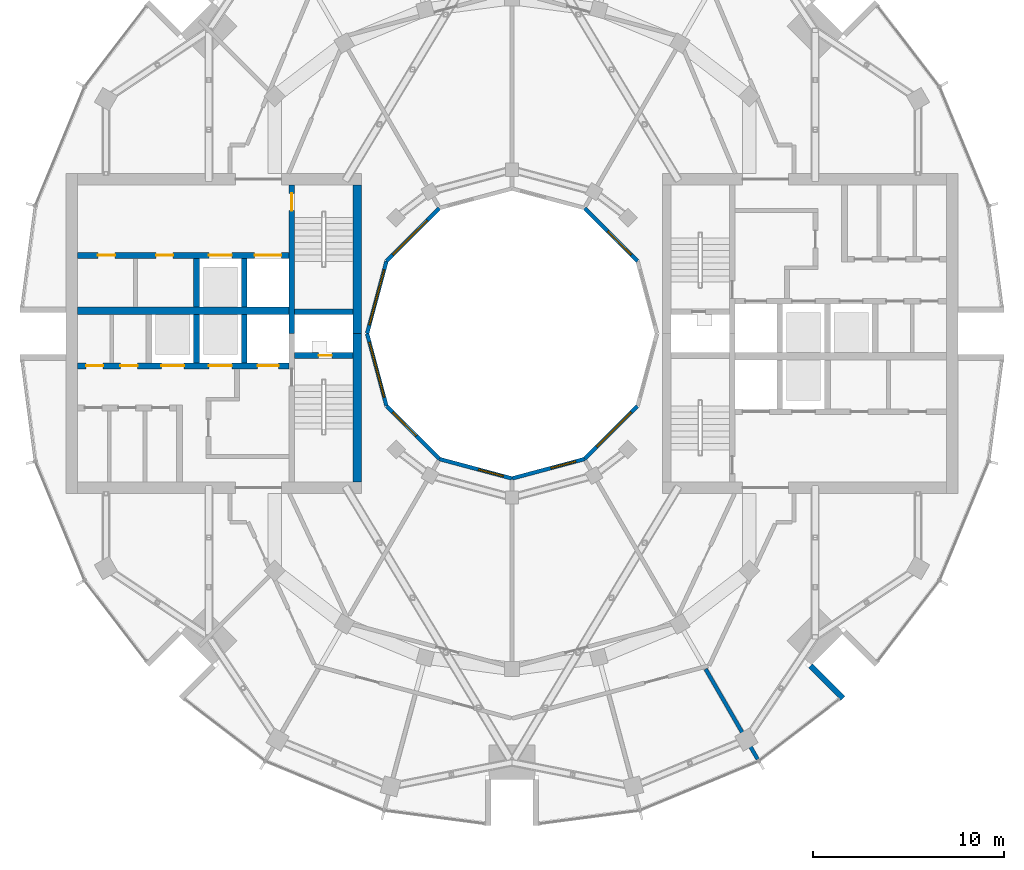
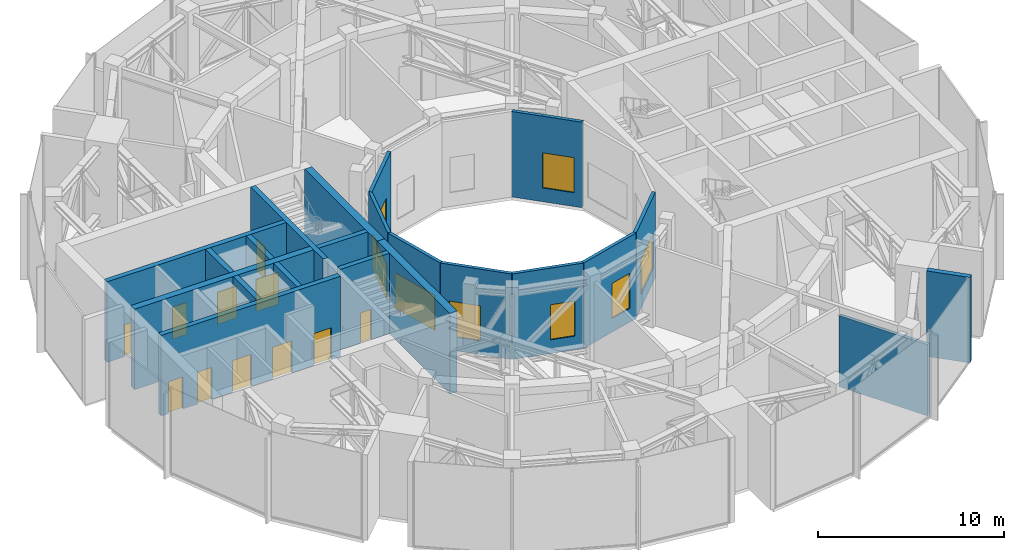
# One storey, part 13 of 18: 22 walls, 11 doors, 8 windows, 19 openings.
"""IFC4 building model written with IfcOpenShell, lengths in metres."""

from ifc_helpers import new_model, si_unit, direction, frame, frame_2d, origin, place, context, subcontext, project, spatial, rectangle, extrude, material, layer, layer_set, type_object, element, fill, save


model = new_model("IFC4")

# Units and contexts
model_context = context("Model", 3, precision=1e-05, world=origin(), true_north=direction((0.0, 1.0)))
body_context = subcontext(model_context, "Body", "Model", "MODEL_VIEW")
ifc_project = project(units=[si_unit("LENGTHUNIT", "METRE"), si_unit("AREAUNIT", "SQUARE_METRE"), si_unit("VOLUMEUNIT", "CUBIC_METRE"), si_unit("PLANEANGLEUNIT", "RADIAN"), si_unit("MASSUNIT", "GRAM", prefix="KILO")], contexts=[model_context])

# Site, building, storey
site_placement = place(None, origin())
site = spatial("IfcSite", under=ifc_project, at=site_placement, CompositionType="ELEMENT")
building_placement = place(site_placement, origin())
building = spatial("IfcBuilding", under=site, at=building_placement, Name="Torre Brocal", CompositionType="ELEMENT")
storey_placement = place(building_placement, frame((0.0, 0.0, 206.89990234375)))
storey = spatial("IfcBuildingStorey", under=building, at=storey_placement, Name="L48", CompositionType="ELEMENT", Elevation=206.89990234375)

# Wall, opening, door
ifc_material_1 = material(Name="Concrete C60", Category="concrete")
ifc_layer_1 = layer(ifc_material_1, 0.300048828125)
ifc_layer_set_1 = layer_set([ifc_layer_1], Name="Concrete C60")
wall_type_1 = type_object("IfcWallType", Name="CORE WALL 300 C60", PredefinedType="SHEAR", material=ifc_layer_set_1)
wall_1_placement = place(storey_placement, frame((68.449951171875, 82.800048828125, 0.0), z_axis=(0.0, 0.0, 1.0), x_axis=(0.0, -1.0, 0.0)))
wall_1 = element("IfcWall", 1, at=wall_1_placement, inside=storey, type_object=wall_type_1, Name="Wall CW300-60", PredefinedType="SHEAR", context=body_context, shape_type="SweptSolid", body=[
    extrude(rectangle(XDim=7.800048828125, YDim=0.300048828125, at=frame_2d((3.89990234375, 0.0))), origin(), (0.0, 0.0, 1.0), 5.280029296875),
])
opening_1_placement = place(wall_1_placement, frame((0.449951171875, 0.0, 0.0)))
opening_1 = element("IfcOpeningElement", 2, at=opening_1_placement, cuts=wall_1, Name="Opening W-D03", PredefinedType="OPENING", context=body_context, shape_type="SweptSolid", body=[
    extrude(rectangle(XDim=0.89990234375, YDim=2.10009765625, at=frame_2d((0.449951171875, 1.050048828125))), frame((0.0, 0.159912109375, 0.0), z_axis=(0.0, -1.0, 0.0), x_axis=(1.0, 0.0, 0.0)), (0.0, 0.0, 1.0), 0.320068359375),
])
ifc_material_2 = material(Name="Steel A653", Category="steel")
door_type_1 = type_object("IfcDoorType", Name="STAIR DOOR FD120 900X2100", OperationType="SINGLE_SWING_RIGHT", PredefinedType="DOOR", material=ifc_material_2)
door_1_placement = place(opening_1_placement, origin())
door_1 = element("IfcDoor", 3, at=door_1_placement, inside=storey, type_object=door_type_1, Name="Door W-D03", OperationType="SINGLE_SWING_LEFT", OverallHeight=2.10009765625, OverallWidth=0.89990234375, PredefinedType="DOOR", context=body_context, shape_type="SweptSolid", body=[
    extrude(rectangle(XDim=0.89990234375, YDim=2.10009765625, at=frame_2d((0.449951171875, 1.050048828125))), frame((0.0, 0.02490234375, 0.0), z_axis=(0.0, -1.0, 0.0), x_axis=(1.0, 0.0, 0.0)), (0.0, 0.0, 1.0), 0.050048828125),
])
fill(opening_1, door_1)

wall_2_placement = place(storey_placement, frame((71.64990234375, 73.85009765625, 0.0), z_axis=(0.0, 0.0, 1.0), x_axis=(-1.0, 0.0, 0.0)))
wall_2 = element("IfcWall", 4, at=wall_2_placement, inside=storey, type_object=wall_type_1, Name="Wall CW300-60", PredefinedType="SHEAR", context=body_context, shape_type="SweptSolid", body=[
    extrude(rectangle(XDim=3.0498046875, YDim=0.300048828125, at=frame_2d((1.52490234375, 0.0))), origin(), (0.0, 0.0, 1.0), 5.280029296875),
])
opening_2_placement = place(wall_2_placement, frame((1.10009765625, 0.0, 0.0)))
opening_2 = element("IfcOpeningElement", 5, at=opening_2_placement, cuts=wall_2, Name="Opening W-D01", PredefinedType="OPENING", context=body_context, shape_type="SweptSolid", body=[
    extrude(rectangle(XDim=0.699951171875, YDim=2.0, at=frame_2d((0.35009765625, 1.0))), frame((0.0, 0.159912109375, 0.0), z_axis=(0.0, -1.0, 0.0), x_axis=(1.0, 0.0, 0.0)), (0.0, 0.0, 1.0), 0.320068359375),
])
ifc_material_3 = material(Name="Steel A653", Category="steel")
door_type_2 = type_object("IfcDoorType", Name="RISER DOOR FD120 700X2000", OperationType="SINGLE_SWING_LEFT", PredefinedType="DOOR", material=ifc_material_3)
door_2_placement = place(opening_2_placement, frame((0.699951171875, 0.0, 0.0), z_axis=(0.0, 0.0, 1.0), x_axis=(-1.0, 0.0, 0.0)))
door_2 = element("IfcDoor", 6, at=door_2_placement, inside=storey, type_object=door_type_2, Name="Door W-D01", OperationType="SINGLE_SWING_RIGHT", OverallHeight=2.0, OverallWidth=0.699951171875, PredefinedType="DOOR", context=body_context, shape_type="SweptSolid", body=[
    extrude(rectangle(XDim=0.699951171875, YDim=2.0, at=frame_2d((0.35009765625, 1.0))), frame((0.0, 0.02490234375, 0.0), z_axis=(0.0, -1.0, 0.0), x_axis=(1.0, 0.0, 0.0)), (0.0, 0.0, 1.0), 0.050048828125),
])
fill(opening_2, door_2)

# Wall
wall_3_placement = place(storey_placement, frame((71.64990234375, 76.14990234375, 0.0), z_axis=(0.0, 0.0, 1.0), x_axis=(-1.0, 0.0, 0.0)))
element("IfcWall", 7, at=wall_3_placement, inside=storey, type_object=wall_type_1, Name="Wall CW300-60", PredefinedType="SHEAR", context=body_context, shape_type="SweptSolid", body=[
    extrude(rectangle(XDim=3.0498046875, YDim=0.300048828125, at=frame_2d((1.52490234375, 0.0))), origin(), (0.0, 0.0, 1.0), 5.280029296875),
])

# Wall, openings, doors
wall_4_placement = place(storey_placement, frame((68.300048828125, 73.300048828125, 0.0), z_axis=(0.0, 0.0, 1.0), x_axis=(-1.0, 0.0, 0.0)))
wall_4 = element("IfcWall", 8, at=wall_4_placement, inside=storey, type_object=wall_type_1, Name="Wall CW300-60", PredefinedType="SHEAR", context=body_context, shape_type="SweptSolid", body=[
    extrude(rectangle(XDim=11.10009765625, YDim=0.300048828125, at=frame_2d((5.550048828125, 0.0))), origin(), (0.0, 0.0, 1.0), 5.280029296875),
])
opening_3_placement = place(wall_4_placement, frame((0.550048828125, 0.0, 0.0)))
opening_3 = element("IfcOpeningElement", 9, at=opening_3_placement, cuts=wall_4, Name="Opening LD", PredefinedType="OPENING", context=body_context, shape_type="SweptSolid", body=[
    extrude(rectangle(XDim=1.10009765625, YDim=2.10009765625, at=frame_2d((0.550048828125, 1.050048828125))), frame((0.0, 0.159912109375, 0.0), z_axis=(0.0, -1.0, 0.0), x_axis=(1.0, 0.0, 0.0)), (0.0, 0.0, 1.0), 0.320068359375),
])
opening_4_placement = place(wall_4_placement, frame((3.0, 0.0, 0.0)))
opening_4 = element("IfcOpeningElement", 10, at=opening_4_placement, cuts=wall_4, Name="Opening LD12", PredefinedType="OPENING", context=body_context, shape_type="SweptSolid", body=[
    extrude(rectangle(XDim=1.199951171875, YDim=2.10009765625, at=frame_2d((0.60009765625, 1.050048828125))), frame((0.0, 0.159912109375, 0.0), z_axis=(0.0, -1.0, 0.0), x_axis=(1.0, 0.0, 0.0)), (0.0, 0.0, 1.0), 0.320068359375),
])
opening_5_placement = place(wall_4_placement, frame((5.5, 0.0, 0.0)))
opening_5 = element("IfcOpeningElement", 11, at=opening_5_placement, cuts=wall_4, Name="Opening LD12", PredefinedType="OPENING", context=body_context, shape_type="SweptSolid", body=[
    extrude(rectangle(XDim=1.199951171875, YDim=2.10009765625, at=frame_2d((0.60009765625, 1.050048828125))), frame((0.0, 0.159912109375, 0.0), z_axis=(0.0, -1.0, 0.0), x_axis=(1.0, 0.0, 0.0)), (0.0, 0.0, 1.0), 0.320068359375),
])
opening_6_placement = place(wall_4_placement, frame((7.949951171875, 0.0, 0.0)))
opening_6 = element("IfcOpeningElement", 12, at=opening_6_placement, cuts=wall_4, Name="Opening W-D04", PredefinedType="OPENING", context=body_context, shape_type="SweptSolid", body=[
    extrude(rectangle(XDim=0.89990234375, YDim=2.10009765625, at=frame_2d((0.449951171875, 1.050048828125))), frame((0.0, 0.159912109375, 0.0), z_axis=(0.0, -1.0, 0.0), x_axis=(1.0, 0.0, 0.0)), (0.0, 0.0, 1.0), 0.320068359375),
])
opening_7_placement = place(wall_4_placement, frame((9.75, 0.0, 0.0)))
opening_7 = element("IfcOpeningElement", 13, at=opening_7_placement, cuts=wall_4, Name="Opening W-D05", PredefinedType="OPENING", context=body_context, shape_type="SweptSolid", body=[
    extrude(rectangle(XDim=0.89990234375, YDim=2.10009765625, at=frame_2d((0.449951171875, 1.050048828125))), frame((0.0, 0.159912109375, 0.0), z_axis=(0.0, -1.0, 0.0), x_axis=(1.0, 0.0, 0.0)), (0.0, 0.0, 1.0), 0.320068359375),
])
ifc_material_4 = material(Name="Stainless steel AISI 316", Category="steel")
door_type_3 = type_object("IfcDoorType", Name="LIFT LANDING DOOR 1100X2100", OperationType="DOUBLE_DOOR_SLIDING", PredefinedType="DOOR", material=ifc_material_4)
door_3_placement = place(opening_3_placement, origin())
door_3 = element("IfcDoor", 14, at=door_3_placement, inside=storey, type_object=door_type_3, Name="Door LD", OperationType="DOUBLE_DOOR_SLIDING", OverallHeight=2.10009765625, OverallWidth=1.10009765625, PredefinedType="DOOR", context=body_context, shape_type="SweptSolid", body=[
    extrude(rectangle(XDim=1.10009765625, YDim=2.10009765625, at=frame_2d((0.550048828125, 1.050048828125))), frame((0.0, 0.02490234375, 0.0), z_axis=(0.0, -1.0, 0.0), x_axis=(1.0, 0.0, 0.0)), (0.0, 0.0, 1.0), 0.050048828125),
])
fill(opening_3, door_3)
ifc_material_5 = material(Name="Stainless steel AISI 316", Category="steel")
door_type_4 = type_object("IfcDoorType", Name="LIFT LANDING DOOR 1200X2100", OperationType="DOUBLE_DOOR_SLIDING", PredefinedType="DOOR", material=ifc_material_5)
door_4_placement = place(opening_4_placement, origin())
door_4 = element("IfcDoor", 15, at=door_4_placement, inside=storey, type_object=door_type_4, Name="Door LD12", OperationType="DOUBLE_DOOR_SLIDING", OverallHeight=2.10009765625, OverallWidth=1.199951171875, PredefinedType="DOOR", context=body_context, shape_type="SweptSolid", body=[
    extrude(rectangle(XDim=1.199951171875, YDim=2.10009765625, at=frame_2d((0.60009765625, 1.050048828125))), frame((0.0, 0.02490234375, 0.0), z_axis=(0.0, -1.0, 0.0), x_axis=(1.0, 0.0, 0.0)), (0.0, 0.0, 1.0), 0.050048828125),
])
fill(opening_4, door_4)
door_5_placement = place(opening_5_placement, origin())
door_5 = element("IfcDoor", 16, at=door_5_placement, inside=storey, type_object=door_type_4, Name="Door LD12", OperationType="DOUBLE_DOOR_SLIDING", OverallHeight=2.10009765625, OverallWidth=1.199951171875, PredefinedType="DOOR", context=body_context, shape_type="SweptSolid", body=[
    extrude(rectangle(XDim=1.199951171875, YDim=2.10009765625, at=frame_2d((0.60009765625, 1.050048828125))), frame((0.0, 0.02490234375, 0.0), z_axis=(0.0, -1.0, 0.0), x_axis=(1.0, 0.0, 0.0)), (0.0, 0.0, 1.0), 0.050048828125),
])
fill(opening_5, door_5)
ifc_material_6 = material(Name="Steel A653", Category="steel")
door_type_5 = type_object("IfcDoorType", Name="ROOM DOOR FD30S 900X2100", OperationType="SINGLE_SWING_LEFT", PredefinedType="DOOR", material=ifc_material_6)
door_6_placement = place(opening_6_placement, frame((0.89990234375, 0.0, 0.0), z_axis=(0.0, 0.0, 1.0), x_axis=(-1.0, 0.0, 0.0)))
door_6 = element("IfcDoor", 17, at=door_6_placement, inside=storey, type_object=door_type_5, Name="Door W-D04", OperationType="SINGLE_SWING_LEFT", OverallHeight=2.10009765625, OverallWidth=0.89990234375, PredefinedType="DOOR", context=body_context, shape_type="SweptSolid", body=[
    extrude(rectangle(XDim=0.89990234375, YDim=2.10009765625, at=frame_2d((0.449951171875, 1.050048828125))), frame((0.0, 0.02490234375, 0.0), z_axis=(0.0, -1.0, 0.0), x_axis=(1.0, 0.0, 0.0)), (0.0, 0.0, 1.0), 0.050048828125),
])
fill(opening_6, door_6)
door_7_placement = place(opening_7_placement, frame((0.89990234375, 0.0, 0.0), z_axis=(0.0, 0.0, 1.0), x_axis=(-1.0, 0.0, 0.0)))
door_7 = element("IfcDoor", 18, at=door_7_placement, inside=storey, type_object=door_type_5, Name="Door W-D05", OperationType="SINGLE_SWING_RIGHT", OverallHeight=2.10009765625, OverallWidth=0.89990234375, PredefinedType="DOOR", context=body_context, shape_type="SweptSolid", body=[
    extrude(rectangle(XDim=0.89990234375, YDim=2.10009765625, at=frame_2d((0.449951171875, 1.050048828125))), frame((0.0, 0.02490234375, 0.0), z_axis=(0.0, -1.0, 0.0), x_axis=(1.0, 0.0, 0.0)), (0.0, 0.0, 1.0), 0.050048828125),
])
fill(opening_7, door_7)

wall_5_placement = place(storey_placement, frame((68.300048828125, 79.10009765625, 0.0), z_axis=(0.0, 0.0, 1.0), x_axis=(-1.0, 0.0, 0.0)))
wall_5 = element("IfcWall", 19, at=wall_5_placement, inside=storey, type_object=wall_type_1, Name="Wall CW300-60", PredefinedType="SHEAR", context=body_context, shape_type="SweptSolid", body=[
    extrude(rectangle(XDim=11.10009765625, YDim=0.300048828125, at=frame_2d((5.550048828125, 0.0))), origin(), (0.0, 0.0, 1.0), 5.280029296875),
])
opening_8_placement = place(wall_5_placement, frame((0.39990234375, 0.0, 0.0)))
opening_8 = element("IfcOpeningElement", 20, at=opening_8_placement, cuts=wall_5, Name="Opening LD14", PredefinedType="OPENING", context=body_context, shape_type="SweptSolid", body=[
    extrude(rectangle(XDim=1.39990234375, YDim=2.10009765625, at=frame_2d((0.699951171875, 1.050048828125))), frame((0.0, 0.159912109375, 0.0), z_axis=(0.0, -1.0, 0.0), x_axis=(1.0, 0.0, 0.0)), (0.0, 0.0, 1.0), 0.320068359375),
])
opening_9_placement = place(wall_5_placement, frame((3.0, 0.0, 0.0)))
opening_9 = element("IfcOpeningElement", 21, at=opening_9_placement, cuts=wall_5, Name="Opening LD12", PredefinedType="OPENING", context=body_context, shape_type="SweptSolid", body=[
    extrude(rectangle(XDim=1.199951171875, YDim=2.10009765625, at=frame_2d((0.60009765625, 1.050048828125))), frame((0.0, 0.159912109375, 0.0), z_axis=(0.0, -1.0, 0.0), x_axis=(1.0, 0.0, 0.0)), (0.0, 0.0, 1.0), 0.320068359375),
])
opening_10_placement = place(wall_5_placement, frame((6.074951171875, 0.0, 0.0)))
opening_10 = element("IfcOpeningElement", 22, at=opening_10_placement, cuts=wall_5, Name="Opening W-D06", PredefinedType="OPENING", context=body_context, shape_type="SweptSolid", body=[
    extrude(rectangle(XDim=0.89990234375, YDim=2.10009765625, at=frame_2d((0.449951171875, 1.050048828125))), frame((0.0, 0.159912109375, 0.0), z_axis=(0.0, -1.0, 0.0), x_axis=(1.0, 0.0, 0.0)), (0.0, 0.0, 1.0), 0.320068359375),
])
opening_11_placement = place(wall_5_placement, frame((9.125, 0.0, 0.0)))
opening_11 = element("IfcOpeningElement", 23, at=opening_11_placement, cuts=wall_5, Name="Opening W-D07", PredefinedType="OPENING", context=body_context, shape_type="SweptSolid", body=[
    extrude(rectangle(XDim=0.89990234375, YDim=2.10009765625, at=frame_2d((0.449951171875, 1.050048828125))), frame((0.0, 0.159912109375, 0.0), z_axis=(0.0, -1.0, 0.0), x_axis=(1.0, 0.0, 0.0)), (0.0, 0.0, 1.0), 0.320068359375),
])
door_8_placement = place(opening_9_placement, origin())
door_8 = element("IfcDoor", 24, at=door_8_placement, inside=storey, type_object=door_type_4, Name="Door LD12", OperationType="DOUBLE_DOOR_SLIDING", OverallHeight=2.10009765625, OverallWidth=1.199951171875, PredefinedType="DOOR", context=body_context, shape_type="SweptSolid", body=[
    extrude(rectangle(XDim=1.199951171875, YDim=2.10009765625, at=frame_2d((0.60009765625, 1.050048828125))), frame((0.0, 0.02490234375, 0.0), z_axis=(0.0, -1.0, 0.0), x_axis=(1.0, 0.0, 0.0)), (0.0, 0.0, 1.0), 0.050048828125),
])
fill(opening_9, door_8)
ifc_material_7 = material(Name="Stainless steel AISI 316", Category="steel")
door_type_6 = type_object("IfcDoorType", Name="LIFT LANDING DOOR 1400X2100", OperationType="DOUBLE_DOOR_SLIDING", PredefinedType="DOOR", material=ifc_material_7)
door_9_placement = place(opening_8_placement, origin())
door_9 = element("IfcDoor", 25, at=door_9_placement, inside=storey, type_object=door_type_6, Name="Door LD14", OperationType="DOUBLE_DOOR_SLIDING", OverallHeight=2.10009765625, OverallWidth=1.39990234375, PredefinedType="DOOR", context=body_context, shape_type="SweptSolid", body=[
    extrude(rectangle(XDim=1.39990234375, YDim=2.10009765625, at=frame_2d((0.699951171875, 1.050048828125))), frame((0.0, 0.02490234375, 0.0), z_axis=(0.0, -1.0, 0.0), x_axis=(1.0, 0.0, 0.0)), (0.0, 0.0, 1.0), 0.050048828125),
])
fill(opening_8, door_9)
door_10_placement = place(opening_10_placement, origin())
door_10 = element("IfcDoor", 26, at=door_10_placement, inside=storey, type_object=door_type_5, Name="Door W-D06", OperationType="SINGLE_SWING_RIGHT", OverallHeight=2.10009765625, OverallWidth=0.89990234375, PredefinedType="DOOR", context=body_context, shape_type="SweptSolid", body=[
    extrude(rectangle(XDim=0.89990234375, YDim=2.10009765625, at=frame_2d((0.449951171875, 1.050048828125))), frame((0.0, 0.02490234375, 0.0), z_axis=(0.0, -1.0, 0.0), x_axis=(1.0, 0.0, 0.0)), (0.0, 0.0, 1.0), 0.050048828125),
])
fill(opening_10, door_10)
door_11_placement = place(opening_11_placement, origin())
door_11 = element("IfcDoor", 27, at=door_11_placement, inside=storey, type_object=door_type_5, Name="Door W-D07", OperationType="SINGLE_SWING_LEFT", OverallHeight=2.10009765625, OverallWidth=0.89990234375, PredefinedType="DOOR", context=body_context, shape_type="SweptSolid", body=[
    extrude(rectangle(XDim=0.89990234375, YDim=2.10009765625, at=frame_2d((0.449951171875, 1.050048828125))), frame((0.0, 0.02490234375, 0.0), z_axis=(0.0, -1.0, 0.0), x_axis=(1.0, 0.0, 0.0)), (0.0, 0.0, 1.0), 0.050048828125),
])
fill(opening_11, door_11)

# Walls
for number, where, z_axis, x_axis, name in (
    (28, (65.949951171875, 76.0, 0.0), (0.0, 0.0, 1.0), (0.0, -1.0, 0.0), "Wall CW300-60"),
    (29, (63.449951171875, 76.0, 0.0), (0.0, 0.0, 1.0), (0.0, -1.0, 0.0), "Wall CW300-60"),
    (30, (65.949951171875, 78.949951171875, 0.0), (0.0, 0.0, 1.0), (0.0, -1.0, 0.0), "Wall CW300-60"),
    (31, (63.449951171875, 78.949951171875, 0.0), (0.0, 0.0, 1.0), (0.0, -1.0, 0.0), "Wall CW300-60"),
):
    element("IfcWall", number, at=place(storey_placement, frame(where, z_axis=z_axis, x_axis=x_axis)), inside=storey, type_object=wall_type_1, Name=name, PredefinedType="SHEAR", context=body_context, shape_type="SweptSolid", body=[
        extrude(rectangle(XDim=2.550048828125, YDim=0.300048828125, at=frame_2d((1.27490234375, 0.0))), origin(), (0.0, 0.0, 1.0), 5.280029296875),
    ])
ifc_material_8 = material(Name="Concrete C60", Category="concrete")
ifc_layer_2 = layer(ifc_material_8, 0.39990234375)
ifc_layer_set_2 = layer_set([ifc_layer_2], Name="Concrete C60")
wall_type_2 = type_object("IfcWallType", Name="CORE WALL 400 C60", PredefinedType="SHEAR", material=ifc_layer_set_2)
wall_6_placement = place(storey_placement, frame((68.300048828125, 76.199951171875, 0.0), z_axis=(0.0, 0.0, 1.0), x_axis=(-1.0, 0.0, 0.0)))
element("IfcWall", 32, at=wall_6_placement, inside=storey, type_object=wall_type_2, Name="Wall CW400-60", PredefinedType="SHEAR", context=body_context, shape_type="SweptSolid", body=[
    extrude(rectangle(XDim=11.10009765625, YDim=0.39990234375, at=frame_2d((5.550048828125, 0.0))), origin(), (0.0, 0.0, 1.0), 5.280029296875),
])
ifc_material_9 = material(Name="Concrete C60", Category="concrete")
ifc_layer_3 = layer(ifc_material_9, 0.449951171875)
ifc_layer_set_3 = layer_set([ifc_layer_3], Name="Concrete C60")
wall_type_3 = type_object("IfcWallType", Name="CORE WALL 450 C60", PredefinedType="SHEAR", material=ifc_layer_set_3)
for number, where, z_axis, x_axis, name in (
    (33, (71.875, 75.0, 0.0), (0.0, 0.0, 1.0), (0.0, -1.0, 0.0), "Wall CW450-60"),
    (34, (71.875, 82.800048828125, 0.0), (0.0, 0.0, 1.0), (0.0, -1.0, 0.0), "Wall CW450-60"),
):
    element("IfcWall", number, at=place(storey_placement, frame(where, z_axis=z_axis, x_axis=x_axis)), inside=storey, type_object=wall_type_3, Name=name, PredefinedType="SHEAR", context=body_context, shape_type="SweptSolid", body=[
        extrude(rectangle(XDim=7.800048828125, YDim=0.449951171875, at=frame_2d((3.89990234375, 0.0))), origin(), (0.0, 0.0, 1.0), 5.280029296875),
    ])
ifc_material_10 = material(Name="Concrete C60", Category="concrete")
ifc_layer_4 = layer(ifc_material_10, 0.300048828125)
ifc_layer_set_4 = layer_set([ifc_layer_4], Name="Concrete C60")
wall_type_4 = type_object("IfcWallType", Name="NOTCH RETURN WALL 300 C60", PredefinedType="NOTDEFINED", material=ifc_layer_set_4)
wall_7_placement = place(storey_placement, frame((95.662353515625, 57.56982421875, 0.0), z_axis=(0.0, 0.0, 1.0), x_axis=(0.707106781187, -0.707106781187, 0.0)))
element("IfcWall", 35, at=wall_7_placement, inside=storey, type_object=wall_type_4, Name="NOTCH RETURN WALL", PredefinedType="NOTDEFINED", context=body_context, shape_type="SweptSolid", body=[
    extrude(rectangle(XDim=2.415771484375, YDim=0.300048828125, at=frame_2d((1.2080078125, 0.0))), origin(), (0.0, 0.0, 1.0), 5.60009765625),
])
ifc_material_11 = material(Name="Masonry block", Category="masonry")
ifc_layer_5 = layer(ifc_material_11, 0.199951171875)
ifc_layer_set_5 = layer_set([ifc_layer_5], Name="Masonry block")
wall_type_5 = type_object("IfcWallType", Name="PARTITION 200 EI120 UNDER BEAM 933", PredefinedType="PARTITIONING", material=ifc_layer_set_5)
wall_8_placement = place(storey_placement, frame((90.16064453125, 57.39599609375, 0.0), z_axis=(0.0, 0.0, 1.0), x_axis=(0.499911747244, -0.866076350542, 0.0)))
element("IfcWall", 36, at=wall_8_placement, inside=storey, type_object=wall_type_5, Name="PLANT ROOM WALL", PredefinedType="PARTITIONING", context=body_context, shape_type="SweptSolid", body=[
    extrude(rectangle(XDim=5.470703125, YDim=0.199951171875, at=frame_2d((2.7353515625, 0.0))), origin(), (0.0, 0.0, 1.0), 4.6669921875),
])

# Wall, opening, window
ifc_material_12 = material(Name="Concrete C40", Category="concrete")
ifc_layer_6 = layer(ifc_material_12, 0.199951171875)
ifc_layer_set_6 = layer_set([ifc_layer_6], Name="Concrete C40")
wall_type_6 = type_object("IfcWallType", Name="WELL FACADE WALL 200", PredefinedType="NOTDEFINED", material=ifc_layer_set_6)
wall_9_placement = place(storey_placement, frame((86.5849609375, 78.8017578125, 0.0), z_axis=(0.0, 0.0, 1.0), x_axis=(-0.707106781187, 0.707106781187, 0.0)))
wall_9 = element("IfcWall", 37, at=wall_9_placement, inside=storey, type_object=wall_type_6, Name="WELL FACADE WALL", PredefinedType="NOTDEFINED", context=body_context, shape_type="SweptSolid", body=[
    extrude(rectangle(XDim=3.93603515625, YDim=0.199951171875, at=frame_2d((1.968017578125, 0.0))), origin(), (0.0, 0.0, 1.0), 5.60009765625),
])
opening_12_placement = place(wall_9_placement, frame((0.468017578125, 0.0, 0.89990234375)))
opening_12 = element("IfcOpeningElement", 38, at=opening_12_placement, cuts=wall_9, Name="Opening W10", PredefinedType="OPENING", context=body_context, shape_type="SweptSolid", body=[
    extrude(rectangle(XDim=1.75, YDim=2.300048828125, at=frame_2d((0.875, 1.14990234375))), frame((0.0, 0.10986328125, 0.0), z_axis=(0.0, -1.0, 0.0), x_axis=(1.0, 0.0, 0.0)), (0.0, 0.0, 1.0), 0.219970703125),
])
ifc_material_13 = material(Name="Aluminium and glass", Category="aluminium")
window_type_1 = type_object("IfcWindowType", Name="WELL WINDOW 1750X2300 BELT", PartitioningType="SINGLE_PANEL", PredefinedType="WINDOW", material=ifc_material_13)
window_1_placement = place(opening_12_placement, origin())
window_1 = element("IfcWindow", 39, at=window_1_placement, inside=storey, type_object=window_type_1, Name="WELL WINDOW 1750X2300 BELT", OverallHeight=2.300048828125, OverallWidth=1.75, PartitioningType="SINGLE_PANEL", PredefinedType="WINDOW", context=body_context, shape_type="SweptSolid", body=[
    extrude(rectangle(XDim=1.75, YDim=2.300048828125, at=frame_2d((0.875, 1.14990234375))), frame((0.0, 0.030029296875, 0.0), z_axis=(0.0, -1.0, 0.0), x_axis=(1.0, 0.0, 0.0)), (0.0, 0.0, 1.0), 0.06005859375),
])
fill(opening_12, window_1)

wall_10_placement = place(storey_placement, frame((76.1982421875, 81.5849609375, 0.0), z_axis=(0.0, 0.0, 1.0), x_axis=(-0.707106781187, -0.707106781187, 0.0)))
wall_10 = element("IfcWall", 40, at=wall_10_placement, inside=storey, type_object=wall_type_6, Name="WELL FACADE WALL", PredefinedType="NOTDEFINED", context=body_context, shape_type="SweptSolid", body=[
    extrude(rectangle(XDim=3.93603515625, YDim=0.199951171875, at=frame_2d((1.968017578125, 0.0))), origin(), (0.0, 0.0, 1.0), 5.60009765625),
])
opening_13_placement = place(wall_10_placement, frame((0.91796875, 0.0, 0.89990234375)))
opening_13 = element("IfcOpeningElement", 41, at=opening_13_placement, cuts=wall_10, Name="Opening W12", PredefinedType="OPENING", context=body_context, shape_type="SweptSolid", body=[
    extrude(rectangle(XDim=2.550048828125, YDim=2.300048828125, at=frame_2d((1.27490234375, 1.14990234375))), frame((0.0, 0.10986328125, 0.0), z_axis=(0.0, -1.0, 0.0), x_axis=(1.0, 0.0, 0.0)), (0.0, 0.0, 1.0), 0.219970703125),
])
ifc_material_14 = material(Name="Aluminium and glass", Category="aluminium")
window_type_2 = type_object("IfcWindowType", Name="WELL WINDOW 2550X2300 BELT", PartitioningType="SINGLE_PANEL", PredefinedType="WINDOW", material=ifc_material_14)
window_2_placement = place(opening_13_placement, origin())
window_2 = element("IfcWindow", 42, at=window_2_placement, inside=storey, type_object=window_type_2, Name="WELL WINDOW 2550X2300 BELT", OverallHeight=2.300048828125, OverallWidth=2.550048828125, PartitioningType="SINGLE_PANEL", PredefinedType="WINDOW", context=body_context, shape_type="SweptSolid", body=[
    extrude(rectangle(XDim=2.550048828125, YDim=2.300048828125, at=frame_2d((1.27490234375, 1.14990234375))), frame((0.0, 0.030029296875, 0.0), z_axis=(0.0, -1.0, 0.0), x_axis=(1.0, 0.0, 0.0)), (0.0, 0.0, 1.0), 0.06005859375),
])
fill(opening_13, window_2)

wall_11_placement = place(storey_placement, frame((73.4150390625, 78.8017578125, 0.0), z_axis=(0.0, 0.0, 1.0), x_axis=(-0.258789828301, -0.965933654434, 0.0)))
wall_11 = element("IfcWall", 43, at=wall_11_placement, inside=storey, type_object=wall_type_6, Name="WELL FACADE WALL", PredefinedType="NOTDEFINED", context=body_context, shape_type="SweptSolid", body=[
    extrude(rectangle(XDim=3.935791015625, YDim=0.199951171875, at=frame_2d((1.9677734375, 0.0))), origin(), (0.0, 0.0, 1.0), 5.60009765625),
])
opening_14_placement = place(wall_11_placement, frame((0.468017578125, 0.0, 0.89990234375)))
opening_14 = element("IfcOpeningElement", 44, at=opening_14_placement, cuts=wall_11, Name="Opening W1", PredefinedType="OPENING", context=body_context, shape_type="SweptSolid", body=[
    extrude(rectangle(XDim=3.0, YDim=2.300048828125, at=frame_2d((1.5, 1.14990234375))), frame((0.0, 0.10986328125, 0.0), z_axis=(0.0, -1.0, 0.0), x_axis=(1.0, 0.0, 0.0)), (0.0, 0.0, 1.0), 0.219970703125),
])
ifc_material_15 = material(Name="Aluminium and glass", Category="aluminium")
window_type_3 = type_object("IfcWindowType", Name="WELL WINDOW 3000X2300", PartitioningType="SINGLE_PANEL", PredefinedType="WINDOW", material=ifc_material_15)
window_3_placement = place(opening_14_placement, origin())
window_3 = element("IfcWindow", 45, at=window_3_placement, inside=storey, type_object=window_type_3, Name="WELL WINDOW 3000X2300", OverallHeight=2.300048828125, OverallWidth=3.0, PartitioningType="SINGLE_PANEL", PredefinedType="WINDOW", context=body_context, shape_type="SweptSolid", body=[
    extrude(rectangle(XDim=3.0, YDim=2.300048828125, at=frame_2d((1.5, 1.14990234375))), frame((0.0, 0.030029296875, 0.0), z_axis=(0.0, -1.0, 0.0), x_axis=(1.0, 0.0, 0.0)), (0.0, 0.0, 1.0), 0.06005859375),
])
fill(opening_14, window_3)

wall_12_placement = place(storey_placement, frame((72.396484375, 75.0, 0.0), z_axis=(0.0, 0.0, 1.0), x_axis=(0.258789828301, -0.965933654434, 0.0)))
wall_12 = element("IfcWall", 46, at=wall_12_placement, inside=storey, type_object=wall_type_6, Name="WELL FACADE WALL", PredefinedType="NOTDEFINED", context=body_context, shape_type="SweptSolid", body=[
    extrude(rectangle(XDim=3.935791015625, YDim=0.199951171875, at=frame_2d((1.9677734375, 0.0))), origin(), (0.0, 0.0, 1.0), 5.60009765625),
])
opening_15_placement = place(wall_12_placement, frame((0.468017578125, 0.0, 0.89990234375)))
opening_15 = element("IfcOpeningElement", 47, at=opening_15_placement, cuts=wall_12, Name="Opening W1", PredefinedType="OPENING", context=body_context, shape_type="SweptSolid", body=[
    extrude(rectangle(XDim=3.0, YDim=2.300048828125, at=frame_2d((1.5, 1.14990234375))), frame((0.0, 0.10986328125, 0.0), z_axis=(0.0, -1.0, 0.0), x_axis=(1.0, 0.0, 0.0)), (0.0, 0.0, 1.0), 0.219970703125),
])
window_4_placement = place(opening_15_placement, origin())
window_4 = element("IfcWindow", 48, at=window_4_placement, inside=storey, type_object=window_type_3, Name="WELL WINDOW 3000X2300", OverallHeight=2.300048828125, OverallWidth=3.0, PartitioningType="SINGLE_PANEL", PredefinedType="WINDOW", context=body_context, shape_type="SweptSolid", body=[
    extrude(rectangle(XDim=3.0, YDim=2.300048828125, at=frame_2d((1.5, 1.14990234375))), frame((0.0, 0.030029296875, 0.0), z_axis=(0.0, -1.0, 0.0), x_axis=(1.0, 0.0, 0.0)), (0.0, 0.0, 1.0), 0.06005859375),
])
fill(opening_15, window_4)

wall_13_placement = place(storey_placement, frame((73.4150390625, 71.1982421875, 0.0), z_axis=(0.0, 0.0, 1.0), x_axis=(0.707106781187, -0.707106781187, 0.0)))
wall_13 = element("IfcWall", 49, at=wall_13_placement, inside=storey, type_object=wall_type_6, Name="WELL FACADE WALL", PredefinedType="NOTDEFINED", context=body_context, shape_type="SweptSolid", body=[
    extrude(rectangle(XDim=3.93603515625, YDim=0.199951171875, at=frame_2d((1.968017578125, 0.0))), origin(), (0.0, 0.0, 1.0), 5.60009765625),
])
opening_16_placement = place(wall_13_placement, frame((0.468017578125, 0.0, 0.89990234375)))
opening_16 = element("IfcOpeningElement", 50, at=opening_16_placement, cuts=wall_13, Name="Opening W10", PredefinedType="OPENING", context=body_context, shape_type="SweptSolid", body=[
    extrude(rectangle(XDim=1.75, YDim=2.300048828125, at=frame_2d((0.875, 1.14990234375))), frame((0.0, 0.10986328125, 0.0), z_axis=(0.0, -1.0, 0.0), x_axis=(1.0, 0.0, 0.0)), (0.0, 0.0, 1.0), 0.219970703125),
])
window_5_placement = place(opening_16_placement, origin())
window_5 = element("IfcWindow", 51, at=window_5_placement, inside=storey, type_object=window_type_1, Name="WELL WINDOW 1750X2300 BELT", OverallHeight=2.300048828125, OverallWidth=1.75, PartitioningType="SINGLE_PANEL", PredefinedType="WINDOW", context=body_context, shape_type="SweptSolid", body=[
    extrude(rectangle(XDim=1.75, YDim=2.300048828125, at=frame_2d((0.875, 1.14990234375))), frame((0.0, 0.030029296875, 0.0), z_axis=(0.0, -1.0, 0.0), x_axis=(1.0, 0.0, 0.0)), (0.0, 0.0, 1.0), 0.06005859375),
])
fill(opening_16, window_5)

wall_14_placement = place(storey_placement, frame((76.1982421875, 68.4150390625, 0.0), z_axis=(0.0, 0.0, 1.0), x_axis=(0.965933654434, -0.258789828301, 0.0)))
wall_14 = element("IfcWall", 52, at=wall_14_placement, inside=storey, type_object=wall_type_6, Name="WELL FACADE WALL", PredefinedType="NOTDEFINED", context=body_context, shape_type="SweptSolid", body=[
    extrude(rectangle(XDim=3.935791015625, YDim=0.199951171875, at=frame_2d((1.9677734375, 0.0))), origin(), (0.0, 0.0, 1.0), 5.60009765625),
])
opening_17_placement = place(wall_14_placement, frame((2.117919921875, 0.0, 0.89990234375)))
opening_17 = element("IfcOpeningElement", 53, at=opening_17_placement, cuts=wall_14, Name="Opening W11", PredefinedType="OPENING", context=body_context, shape_type="SweptSolid", body=[
    extrude(rectangle(XDim=1.35009765625, YDim=2.300048828125, at=frame_2d((0.675048828125, 1.14990234375))), frame((0.0, 0.10986328125, 0.0), z_axis=(0.0, -1.0, 0.0), x_axis=(1.0, 0.0, 0.0)), (0.0, 0.0, 1.0), 0.219970703125),
])
ifc_material_16 = material(Name="Aluminium and glass", Category="aluminium")
window_type_4 = type_object("IfcWindowType", Name="WELL WINDOW 1350X2300 BELT", PartitioningType="SINGLE_PANEL", PredefinedType="WINDOW", material=ifc_material_16)
window_6_placement = place(opening_17_placement, origin())
window_6 = element("IfcWindow", 54, at=window_6_placement, inside=storey, type_object=window_type_4, Name="WELL WINDOW 1350X2300 BELT", OverallHeight=2.300048828125, OverallWidth=1.35009765625, PartitioningType="SINGLE_PANEL", PredefinedType="WINDOW", context=body_context, shape_type="SweptSolid", body=[
    extrude(rectangle(XDim=1.35009765625, YDim=2.300048828125, at=frame_2d((0.675048828125, 1.14990234375))), frame((0.0, 0.030029296875, 0.0), z_axis=(0.0, -1.0, 0.0), x_axis=(1.0, 0.0, 0.0)), (0.0, 0.0, 1.0), 0.06005859375),
])
fill(opening_17, window_6)

wall_15_placement = place(storey_placement, frame((80.0, 67.396484375, 0.0), z_axis=(0.0, 0.0, 1.0), x_axis=(0.965933654434, 0.258789828301, 0.0)))
wall_15 = element("IfcWall", 55, at=wall_15_placement, inside=storey, type_object=wall_type_6, Name="WELL FACADE WALL", PredefinedType="NOTDEFINED", context=body_context, shape_type="SweptSolid", body=[
    extrude(rectangle(XDim=3.935791015625, YDim=0.199951171875, at=frame_2d((1.9677734375, 0.0))), origin(), (0.0, 0.0, 1.0), 5.60009765625),
])
opening_18_placement = place(wall_15_placement, frame((2.117919921875, 0.0, 0.89990234375)))
opening_18 = element("IfcOpeningElement", 56, at=opening_18_placement, cuts=wall_15, Name="Opening W11", PredefinedType="OPENING", context=body_context, shape_type="SweptSolid", body=[
    extrude(rectangle(XDim=1.35009765625, YDim=2.300048828125, at=frame_2d((0.675048828125, 1.14990234375))), frame((0.0, 0.10986328125, 0.0), z_axis=(0.0, -1.0, 0.0), x_axis=(1.0, 0.0, 0.0)), (0.0, 0.0, 1.0), 0.219970703125),
])
window_7_placement = place(opening_18_placement, origin())
window_7 = element("IfcWindow", 57, at=window_7_placement, inside=storey, type_object=window_type_4, Name="WELL WINDOW 1350X2300 BELT", OverallHeight=2.300048828125, OverallWidth=1.35009765625, PartitioningType="SINGLE_PANEL", PredefinedType="WINDOW", context=body_context, shape_type="SweptSolid", body=[
    extrude(rectangle(XDim=1.35009765625, YDim=2.300048828125, at=frame_2d((0.675048828125, 1.14990234375))), frame((0.0, 0.030029296875, 0.0), z_axis=(0.0, -1.0, 0.0), x_axis=(1.0, 0.0, 0.0)), (0.0, 0.0, 1.0), 0.06005859375),
])
fill(opening_18, window_7)

wall_16_placement = place(storey_placement, frame((83.8017578125, 68.4150390625, 0.0), z_axis=(0.0, 0.0, 1.0), x_axis=(0.707106781187, 0.707106781187, 0.0)))
wall_16 = element("IfcWall", 58, at=wall_16_placement, inside=storey, type_object=wall_type_6, Name="WELL FACADE WALL", PredefinedType="NOTDEFINED", context=body_context, shape_type="SweptSolid", body=[
    extrude(rectangle(XDim=3.93603515625, YDim=0.199951171875, at=frame_2d((1.968017578125, 0.0))), origin(), (0.0, 0.0, 1.0), 5.60009765625),
])
opening_19_placement = place(wall_16_placement, frame((0.91796875, 0.0, 0.89990234375)))
opening_19 = element("IfcOpeningElement", 59, at=opening_19_placement, cuts=wall_16, Name="Opening W12", PredefinedType="OPENING", context=body_context, shape_type="SweptSolid", body=[
    extrude(rectangle(XDim=2.550048828125, YDim=2.300048828125, at=frame_2d((1.27490234375, 1.14990234375))), frame((0.0, 0.10986328125, 0.0), z_axis=(0.0, -1.0, 0.0), x_axis=(1.0, 0.0, 0.0)), (0.0, 0.0, 1.0), 0.219970703125),
])
window_8_placement = place(opening_19_placement, origin())
window_8 = element("IfcWindow", 60, at=window_8_placement, inside=storey, type_object=window_type_2, Name="WELL WINDOW 2550X2300 BELT", OverallHeight=2.300048828125, OverallWidth=2.550048828125, PartitioningType="SINGLE_PANEL", PredefinedType="WINDOW", context=body_context, shape_type="SweptSolid", body=[
    extrude(rectangle(XDim=2.550048828125, YDim=2.300048828125, at=frame_2d((1.27490234375, 1.14990234375))), frame((0.0, 0.030029296875, 0.0), z_axis=(0.0, -1.0, 0.0), x_axis=(1.0, 0.0, 0.0)), (0.0, 0.0, 1.0), 0.06005859375),
])
fill(opening_19, window_8)

save(model, "model.ifc")
